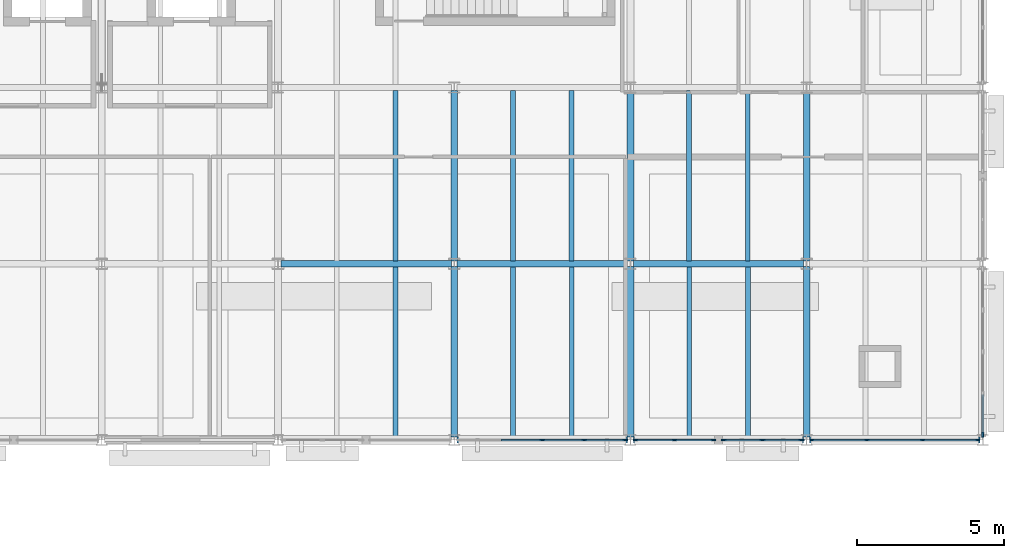
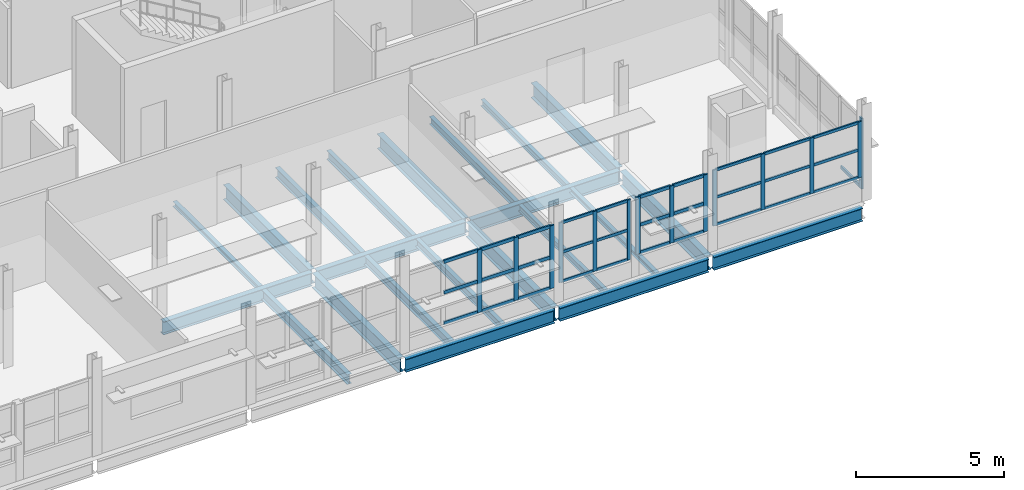
# One storey, part 40 of 92: 45 members, 22 beams, 5 elements without a shape of their own.
"""IFC4 building model written with IfcOpenShell, lengths in metres."""

from ifc_helpers import new_model, si_unit, direction, frame, origin, origin_2d, place, context, subcontext, project, spatial, rectangle, i_section, extrude, material, material_profile, profile_set, type_object, element, aggregate, save


model = new_model("IFC4")

# Units and contexts
model_context = context("Model", 3, precision=1e-05, world=origin(), true_north=direction((0.0, 1.0)))
body_context = subcontext(model_context, "Body", "Model", "MODEL_VIEW")
ifc_project = project(units=[si_unit("LENGTHUNIT", "METRE"), si_unit("AREAUNIT", "SQUARE_METRE"), si_unit("VOLUMEUNIT", "CUBIC_METRE"), si_unit("PLANEANGLEUNIT", "RADIAN"), si_unit("MASSUNIT", "GRAM", prefix="KILO")], contexts=[model_context])

# Site, building, storey
site_placement = place(None, origin())
site = spatial("IfcSite", under=ifc_project, at=site_placement, CompositionType="ELEMENT")
building_placement = place(site_placement, origin())
building = spatial("IfcBuilding", under=site, at=building_placement, Name="Siltcreek Boulevard Central Fire Station", CompositionType="ELEMENT")
storey_placement = place(building_placement, frame((0.0, 0.0, 6.0)))
storey = spatial("IfcBuildingStorey", under=building, at=storey_placement, Name="L02", CompositionType="ELEMENT", Elevation=6.0)

# Beams
ifc_material_1 = material(Name="Structural steel ASTM A992 Gr50", Category="steel")
ifc_material_profile_1 = material_profile(ifc_material_1, i_section(OverallWidth=0.2109375, OverallDepth=0.5390625, WebThickness=0.01171875, FlangeThickness=0.018798828125, at=origin_2d()), Name="W530X109")
ifc_profile_set_1 = profile_set([ifc_material_profile_1], Name="Structural steel ASTM A992 Gr50")
beam_type_1 = type_object("IfcBeamType", Name="BM_W530X109", PredefinedType="BEAM", material=ifc_profile_set_1)
for number, where, z_axis, x_axis, name in (
    (1, (148.300048828125, 88.199951171875, -0.589599609375), (1.0, 0.0, 0.0), (0.0, 1.0, 0.0), "L02 primary steel girder GX-0173"),
    (2, (154.300048828125, 88.199951171875, -0.589599609375), (1.0, 0.0, 0.0), (0.0, 1.0, 0.0), "L02 primary steel girder GX-0174"),
    (3, (160.300048828125, 88.199951171875, -0.589599609375), (1.0, 0.0, 0.0), (0.0, 1.0, 0.0), "L02 primary steel girder GX-0175"),
    (4, (142.300048828125, 94.199951171875, -0.589599609375), (1.0, 0.0, 0.0), (0.0, 1.0, 0.0), "L02 primary steel girder GX-0179"),
    (5, (148.300048828125, 94.199951171875, -0.589599609375), (1.0, 0.0, 0.0), (0.0, 1.0, 0.0), "L02 primary steel girder GX-0180"),
    (6, (154.300048828125, 94.199951171875, -0.589599609375), (1.0, 0.0, 0.0), (0.0, 1.0, 0.0), "L02 primary steel girder GX-0181"),
):
    element("IfcBeam", number, at=place(storey_placement, frame(where, z_axis=z_axis, x_axis=x_axis)), inside=storey, type_object=beam_type_1, Name=name, PredefinedType="BEAM", context=body_context, shape_type="SweptSolid", body=[
        extrude(i_section(OverallWidth=0.2109375, OverallDepth=0.5390625, WebThickness=0.01171875, FlangeThickness=0.018798828125, at=origin_2d()), origin(), (0.0, 0.0, 1.0), 5.800048828125),
    ])
ifc_material_profile_2 = material_profile(ifc_material_1, i_section(OverallWidth=0.22802734375, OverallDepth=0.60791015625, WebThickness=0.01123046875, FlangeThickness=0.017333984375, at=origin_2d()), Name="W610X113")
ifc_profile_set_2 = profile_set([ifc_material_profile_2], Name="Structural steel ASTM A992 Gr50")
beam_type_2 = type_object("IfcBeamType", Name="BM_W610X113", PredefinedType="BEAM", material=ifc_profile_set_2)
for number, where, z_axis, x_axis, name in (
    (7, (148.199951171875, 88.300048828125, -0.6240234375), (0.0, 1.0, 0.0), (-1.0, 0.0, 0.0), "L02 primary steel girder GY-0219"),
    (8, (148.199951171875, 94.300048828125, -0.6240234375), (0.0, 1.0, 0.0), (-1.0, 0.0, 0.0), "L02 primary steel girder GY-0220"),
    (9, (154.199951171875, 88.300048828125, -0.6240234375), (0.0, 1.0, 0.0), (-1.0, 0.0, 0.0), "L02 primary steel girder GY-0222"),
    (10, (154.199951171875, 94.300048828125, -0.6240234375), (0.0, 1.0, 0.0), (-1.0, 0.0, 0.0), "L02 primary steel girder GY-0223"),
    (11, (160.199951171875, 88.300048828125, -0.6240234375), (0.0, 1.0, 0.0), (-1.0, 0.0, 0.0), "L02 primary steel girder GY-0226"),
    (12, (160.199951171875, 94.300048828125, -0.6240234375), (0.0, 1.0, 0.0), (-1.0, 0.0, 0.0), "L02 primary steel girder GY-0227"),
):
    element("IfcBeam", number, at=place(storey_placement, frame(where, z_axis=z_axis, x_axis=x_axis)), inside=storey, type_object=beam_type_2, Name=name, PredefinedType="BEAM", context=body_context, shape_type="SweptSolid", body=[
        extrude(i_section(OverallWidth=0.22802734375, OverallDepth=0.60791015625, WebThickness=0.01123046875, FlangeThickness=0.017333984375, at=origin_2d()), origin(), (0.0, 0.0, 1.0), 5.800048828125),
    ])

# Curtain wall, members
ifc_material_2 = material(Name="Anodized aluminum and low-E insulated glazing", Category="aluminium")
curtain_wall_type_1 = type_object("IfcCurtainWallType", Name="CW_SYS_10", PredefinedType="USERDEFINED", material=ifc_material_2)
curtain_wall_1_placement = place(storey_placement, origin())
curtain_wall_1 = element("IfcCurtainWall", 13, at=curtain_wall_1_placement, inside=storey, type_object=curtain_wall_type_1, Name="L02 V5 unitised curtain wall CW-129", ObjectType="CURTAIN WALL", PredefinedType="USERDEFINED")
ifc_material_3 = material(Name="Anodized 6063-T6 aluminum framing", Category="aluminium")
ifc_material_profile_3 = material_profile(ifc_material_3, rectangle(XDim=0.06005859375, YDim=0.14990234375, at=origin_2d()), Name="MULL60X150")
ifc_profile_set_3 = profile_set([ifc_material_profile_3], Name="Anodized 6063-T6 aluminum framing")
member_type_1 = type_object("IfcMemberType", Name="CWM_60X150", PredefinedType="MULLION", material=ifc_profile_set_3)
member_1_placement = place(storey_placement, frame((154.375, 88.199951171875, 0.679931640625), z_axis=(0.0, 0.0, 1.0), x_axis=(0.0, 1.0, 0.0)))
member_1 = element("IfcMember", 14, at=member_1_placement, type_object=member_type_1, Name="CW-129 mullion 1", PredefinedType="MULLION", context=body_context, shape_type="SweptSolid", body=[
    extrude(rectangle(XDim=0.06005859375, YDim=0.14990234375, at=origin_2d()), origin(), (0.0, 0.0, 1.0), 2.47314453125),
])
member_2_placement = place(storey_placement, frame((155.702392578125, 88.199951171875, 0.679931640625), z_axis=(0.0, 0.0, 1.0), x_axis=(0.0, 1.0, 0.0)))
member_2 = element("IfcMember", 15, at=member_2_placement, type_object=member_type_1, Name="CW-129 mullion 2", PredefinedType="MULLION", context=body_context, shape_type="SweptSolid", body=[
    extrude(rectangle(XDim=0.06005859375, YDim=0.14990234375, at=origin_2d()), origin(), (0.0, 0.0, 1.0), 2.47314453125),
])
member_3_placement = place(storey_placement, frame((157.030029296875, 88.199951171875, 0.679931640625), z_axis=(0.0, 0.0, 1.0), x_axis=(0.0, 1.0, 0.0)))
member_3 = element("IfcMember", 16, at=member_3_placement, type_object=member_type_1, Name="CW-129 mullion 3", PredefinedType="MULLION", context=body_context, shape_type="SweptSolid", body=[
    extrude(rectangle(XDim=0.06005859375, YDim=0.14990234375, at=origin_2d()), origin(), (0.0, 0.0, 1.0), 2.47314453125),
])

curtain_wall_type_2 = type_object("IfcCurtainWallType", Name="CW_SYS_12", PredefinedType="USERDEFINED", material=ifc_material_2)
curtain_wall_2_placement = place(storey_placement, origin())
curtain_wall_2 = element("IfcCurtainWall", 17, at=curtain_wall_2_placement, inside=storey, type_object=curtain_wall_type_2, Name="L02 V5 unitised curtain wall CW-131", ObjectType="CURTAIN WALL", PredefinedType="USERDEFINED")
member_4_placement = place(storey_placement, frame((160.375, 88.199951171875, 0.919921875), z_axis=(0.0, 0.0, 1.0), x_axis=(0.0, 1.0, 0.0)))
member_4 = element("IfcMember", 18, at=member_4_placement, type_object=member_type_1, Name="CW-131 mullion 1", PredefinedType="MULLION", context=body_context, shape_type="SweptSolid", body=[
    extrude(rectangle(XDim=0.06005859375, YDim=0.14990234375, at=origin_2d()), origin(), (0.0, 0.0, 1.0), 2.302978515625),
])
member_5_placement = place(storey_placement, frame((162.248291015625, 88.199951171875, 0.919921875), z_axis=(0.0, 0.0, 1.0), x_axis=(0.0, 1.0, 0.0)))
member_5 = element("IfcMember", 19, at=member_5_placement, type_object=member_type_1, Name="CW-131 mullion 2", PredefinedType="MULLION", context=body_context, shape_type="SweptSolid", body=[
    extrude(rectangle(XDim=0.06005859375, YDim=0.14990234375, at=origin_2d()), origin(), (0.0, 0.0, 1.0), 2.302978515625),
])
member_6_placement = place(storey_placement, frame((164.151611328125, 88.199951171875, 0.919921875), z_axis=(0.0, 0.0, 1.0), x_axis=(0.0, 1.0, 0.0)))
member_6 = element("IfcMember", 20, at=member_6_placement, type_object=member_type_1, Name="CW-131 mullion 3", PredefinedType="MULLION", context=body_context, shape_type="SweptSolid", body=[
    extrude(rectangle(XDim=0.06005859375, YDim=0.14990234375, at=origin_2d()), origin(), (0.0, 0.0, 1.0), 2.302978515625),
])
member_7_placement = place(storey_placement, frame((166.02490234375, 88.199951171875, 0.919921875), z_axis=(0.0, 0.0, 1.0), x_axis=(0.0, 1.0, 0.0)))
member_7 = element("IfcMember", 21, at=member_7_placement, type_object=member_type_1, Name="CW-131 mullion 4", PredefinedType="MULLION", context=body_context, shape_type="SweptSolid", body=[
    extrude(rectangle(XDim=0.06005859375, YDim=0.14990234375, at=origin_2d()), origin(), (0.0, 0.0, 1.0), 2.302978515625),
])

curtain_wall_type_3 = type_object("IfcCurtainWallType", Name="CW_SYS_09", PredefinedType="USERDEFINED", material=ifc_material_2)
curtain_wall_3_placement = place(storey_placement, origin())
curtain_wall_3 = element("IfcCurtainWall", 22, at=curtain_wall_3_placement, inside=storey, type_object=curtain_wall_type_3, Name="L02 V5 unitised curtain wall CW-128", ObjectType="CURTAIN WALL", PredefinedType="USERDEFINED")
ifc_material_profile_4 = material_profile(ifc_material_3, rectangle(XDim=0.06494140625, YDim=0.175048828125, at=origin_2d()), Name="MULL65X175")
ifc_profile_set_4 = profile_set([ifc_material_profile_4], Name="Anodized 6063-T6 aluminum framing")
member_type_2 = type_object("IfcMemberType", Name="CWM_65X175", PredefinedType="MULLION", material=ifc_profile_set_4)
member_8_placement = place(storey_placement, frame((151.199951171875, 88.199951171875, 0.56005859375), z_axis=(0.0, 0.0, 1.0), x_axis=(0.0, 1.0, 0.0)))
member_8 = element("IfcMember", 23, at=member_8_placement, type_object=member_type_2, Name="CW-128 mullion 3", PredefinedType="MULLION", context=body_context, shape_type="SweptSolid", body=[
    extrude(rectangle(XDim=0.06494140625, YDim=0.175048828125, at=origin_2d()), origin(), (0.0, 0.0, 1.0), 2.593017578125),
])
member_9_placement = place(storey_placement, frame((152.62744140625, 88.199951171875, 0.56005859375), z_axis=(0.0, 0.0, 1.0), x_axis=(0.0, 1.0, 0.0)))
member_9 = element("IfcMember", 24, at=member_9_placement, type_object=member_type_2, Name="CW-128 mullion 4", PredefinedType="MULLION", context=body_context, shape_type="SweptSolid", body=[
    extrude(rectangle(XDim=0.06494140625, YDim=0.175048828125, at=origin_2d()), origin(), (0.0, 0.0, 1.0), 2.593017578125),
])
member_10_placement = place(storey_placement, frame((154.0224609375, 88.199951171875, 0.56005859375), z_axis=(0.0, 0.0, 1.0), x_axis=(0.0, 1.0, 0.0)))
member_10 = element("IfcMember", 25, at=member_10_placement, type_object=member_type_2, Name="CW-128 mullion 5", PredefinedType="MULLION", context=body_context, shape_type="SweptSolid", body=[
    extrude(rectangle(XDim=0.06494140625, YDim=0.175048828125, at=origin_2d()), origin(), (0.0, 0.0, 1.0), 2.593017578125),
])

curtain_wall_type_4 = type_object("IfcCurtainWallType", Name="CW_SYS_11", PredefinedType="USERDEFINED", material=ifc_material_2)
curtain_wall_4_placement = place(storey_placement, origin())
curtain_wall_4 = element("IfcCurtainWall", 26, at=curtain_wall_4_placement, inside=storey, type_object=curtain_wall_type_4, Name="L02 V5 unitised curtain wall CW-130", ObjectType="CURTAIN WALL", PredefinedType="USERDEFINED")
member_11_placement = place(storey_placement, frame((157.37255859375, 88.199951171875, 0.800048828125), z_axis=(0.0, 0.0, 1.0), x_axis=(0.0, 1.0, 0.0)))
member_11 = element("IfcMember", 27, at=member_11_placement, type_object=member_type_2, Name="CW-130 mullion 1", PredefinedType="MULLION", context=body_context, shape_type="SweptSolid", body=[
    extrude(rectangle(XDim=0.06494140625, YDim=0.175048828125, at=origin_2d()), origin(), (0.0, 0.0, 1.0), 2.35302734375),
])
member_12_placement = place(storey_placement, frame((158.697509765625, 88.199951171875, 0.800048828125), z_axis=(0.0, 0.0, 1.0), x_axis=(0.0, 1.0, 0.0)))
member_12 = element("IfcMember", 28, at=member_12_placement, type_object=member_type_2, Name="CW-130 mullion 2", PredefinedType="MULLION", context=body_context, shape_type="SweptSolid", body=[
    extrude(rectangle(XDim=0.06494140625, YDim=0.175048828125, at=origin_2d()), origin(), (0.0, 0.0, 1.0), 2.35302734375),
])
member_13_placement = place(storey_placement, frame((160.0224609375, 88.199951171875, 0.800048828125), z_axis=(0.0, 0.0, 1.0), x_axis=(0.0, 1.0, 0.0)))
member_13 = element("IfcMember", 29, at=member_13_placement, type_object=member_type_2, Name="CW-130 mullion 3", PredefinedType="MULLION", context=body_context, shape_type="SweptSolid", body=[
    extrude(rectangle(XDim=0.06494140625, YDim=0.175048828125, at=origin_2d()), origin(), (0.0, 0.0, 1.0), 2.35302734375),
])

# Curtain wall, member
curtain_wall_type_5 = type_object("IfcCurtainWallType", Name="CW_SYS_25", PredefinedType="USERDEFINED", material=ifc_material_2)
curtain_wall_5_placement = place(storey_placement, origin())
curtain_wall_5 = element("IfcCurtainWall", 30, at=curtain_wall_5_placement, inside=storey, type_object=curtain_wall_type_5, Name="L02 V5 unitised curtain wall CW-144", ObjectType="CURTAIN WALL", PredefinedType="USERDEFINED")
member_14_placement = place(storey_placement, frame((166.199951171875, 88.37744140625, 0.320068359375), z_axis=(0.0, 0.0, 1.0), x_axis=(-1.0, 0.0, 0.0)))
member_14 = element("IfcMember", 31, at=member_14_placement, type_object=member_type_2, Name="CW-144 mullion 1", PredefinedType="MULLION", context=body_context, shape_type="SweptSolid", body=[
    extrude(rectangle(XDim=0.06494140625, YDim=0.175048828125, at=origin_2d()), origin(), (0.0, 0.0, 1.0), 2.906982421875),
])

# Member
ifc_material_profile_5 = material_profile(ifc_material_3, rectangle(XDim=0.06005859375, YDim=0.114990234375, at=origin_2d()), Name="TRAN60X115")
ifc_profile_set_5 = profile_set([ifc_material_profile_5], Name="Anodized 6063-T6 aluminum framing")
member_type_3 = type_object("IfcMemberType", Name="CWT_60X115", PredefinedType="USERDEFINED", material=ifc_profile_set_5)
member_15_placement = place(storey_placement, frame((154.405029296875, 88.199951171875, 0.7099609375), z_axis=(1.0, 0.0, 0.0), x_axis=(0.0, 1.0, 0.0)))
member_15 = element("IfcMember", 32, at=member_15_placement, type_object=member_type_3, Name="CW-129 transom 1.1", ObjectType="TRANSOM", PredefinedType="USERDEFINED", context=body_context, shape_type="SweptSolid", body=[
    extrude(rectangle(XDim=0.06005859375, YDim=0.114990234375, at=origin_2d()), origin(), (0.0, 0.0, 1.0), 1.267578125),
])

member_16_placement = place(storey_placement, frame((154.405029296875, 88.199951171875, 1.91650390625), z_axis=(1.0, 0.0, 0.0), x_axis=(0.0, 1.0, 0.0)))
member_16 = element("IfcMember", 33, at=member_16_placement, type_object=member_type_3, Name="CW-129 transom 1.2", ObjectType="TRANSOM", PredefinedType="USERDEFINED", context=body_context, shape_type="SweptSolid", body=[
    extrude(rectangle(XDim=0.06005859375, YDim=0.114990234375, at=origin_2d()), origin(), (0.0, 0.0, 1.0), 1.267578125),
])

member_17_placement = place(storey_placement, frame((154.405029296875, 88.199951171875, 3.123046875), z_axis=(1.0, 0.0, 0.0), x_axis=(0.0, 1.0, 0.0)))
member_17 = element("IfcMember", 34, at=member_17_placement, type_object=member_type_3, Name="CW-129 transom 1.3", ObjectType="TRANSOM", PredefinedType="USERDEFINED", context=body_context, shape_type="SweptSolid", body=[
    extrude(rectangle(XDim=0.06005859375, YDim=0.114990234375, at=origin_2d()), origin(), (0.0, 0.0, 1.0), 1.267578125),
])

member_18_placement = place(storey_placement, frame((155.732421875, 88.199951171875, 0.7099609375), z_axis=(1.0, 0.0, 0.0), x_axis=(0.0, 1.0, 0.0)))
member_18 = element("IfcMember", 35, at=member_18_placement, type_object=member_type_3, Name="CW-129 transom 2.1", ObjectType="TRANSOM", PredefinedType="USERDEFINED", context=body_context, shape_type="SweptSolid", body=[
    extrude(rectangle(XDim=0.06005859375, YDim=0.114990234375, at=origin_2d()), origin(), (0.0, 0.0, 1.0), 1.267578125),
])

member_19_placement = place(storey_placement, frame((155.732421875, 88.199951171875, 1.91650390625), z_axis=(1.0, 0.0, 0.0), x_axis=(0.0, 1.0, 0.0)))
member_19 = element("IfcMember", 36, at=member_19_placement, type_object=member_type_3, Name="CW-129 transom 2.2", ObjectType="TRANSOM", PredefinedType="USERDEFINED", context=body_context, shape_type="SweptSolid", body=[
    extrude(rectangle(XDim=0.06005859375, YDim=0.114990234375, at=origin_2d()), origin(), (0.0, 0.0, 1.0), 1.267578125),
])

member_20_placement = place(storey_placement, frame((155.732421875, 88.199951171875, 3.123046875), z_axis=(1.0, 0.0, 0.0), x_axis=(0.0, 1.0, 0.0)))
member_20 = element("IfcMember", 37, at=member_20_placement, type_object=member_type_3, Name="CW-129 transom 2.3", ObjectType="TRANSOM", PredefinedType="USERDEFINED", context=body_context, shape_type="SweptSolid", body=[
    extrude(rectangle(XDim=0.06005859375, YDim=0.114990234375, at=origin_2d()), origin(), (0.0, 0.0, 1.0), 1.267578125),
])

aggregate(curtain_wall_1, [member_1, member_2, member_3, member_15, member_16, member_17, member_18, member_19, member_20])

member_21_placement = place(storey_placement, frame((160.405029296875, 88.199951171875, 0.949951171875), z_axis=(1.0, 0.0, 0.0), x_axis=(0.0, 1.0, 0.0)))
member_21 = element("IfcMember", 38, at=member_21_placement, type_object=member_type_3, Name="CW-131 transom 1.1", ObjectType="TRANSOM", PredefinedType="USERDEFINED", context=body_context, shape_type="SweptSolid", body=[
    extrude(rectangle(XDim=0.06005859375, YDim=0.114990234375, at=origin_2d()), origin(), (0.0, 0.0, 1.0), 1.813232421875),
])

member_22_placement = place(storey_placement, frame((160.405029296875, 88.199951171875, 2.071533203125), z_axis=(1.0, 0.0, 0.0), x_axis=(0.0, 1.0, 0.0)))
member_22 = element("IfcMember", 39, at=member_22_placement, type_object=member_type_3, Name="CW-131 transom 1.2", ObjectType="TRANSOM", PredefinedType="USERDEFINED", context=body_context, shape_type="SweptSolid", body=[
    extrude(rectangle(XDim=0.06005859375, YDim=0.114990234375, at=origin_2d()), origin(), (0.0, 0.0, 1.0), 1.813232421875),
])

member_23_placement = place(storey_placement, frame((160.405029296875, 88.199951171875, 3.193115234375), z_axis=(1.0, 0.0, 0.0), x_axis=(0.0, 1.0, 0.0)))
member_23 = element("IfcMember", 40, at=member_23_placement, type_object=member_type_3, Name="CW-131 transom 1.3", ObjectType="TRANSOM", PredefinedType="USERDEFINED", context=body_context, shape_type="SweptSolid", body=[
    extrude(rectangle(XDim=0.06005859375, YDim=0.114990234375, at=origin_2d()), origin(), (0.0, 0.0, 1.0), 1.813232421875),
])

member_24_placement = place(storey_placement, frame((162.2783203125, 88.199951171875, 0.949951171875), z_axis=(1.0, 0.0, 0.0), x_axis=(0.0, 1.0, 0.0)))
member_24 = element("IfcMember", 41, at=member_24_placement, type_object=member_type_3, Name="CW-131 transom 2.1", ObjectType="TRANSOM", PredefinedType="USERDEFINED", context=body_context, shape_type="SweptSolid", body=[
    extrude(rectangle(XDim=0.06005859375, YDim=0.114990234375, at=origin_2d()), origin(), (0.0, 0.0, 1.0), 1.84326171875),
])

member_25_placement = place(storey_placement, frame((162.2783203125, 88.199951171875, 2.071533203125), z_axis=(1.0, 0.0, 0.0), x_axis=(0.0, 1.0, 0.0)))
member_25 = element("IfcMember", 42, at=member_25_placement, type_object=member_type_3, Name="CW-131 transom 2.2", ObjectType="TRANSOM", PredefinedType="USERDEFINED", context=body_context, shape_type="SweptSolid", body=[
    extrude(rectangle(XDim=0.06005859375, YDim=0.114990234375, at=origin_2d()), origin(), (0.0, 0.0, 1.0), 1.84326171875),
])

member_26_placement = place(storey_placement, frame((162.2783203125, 88.199951171875, 3.193115234375), z_axis=(1.0, 0.0, 0.0), x_axis=(0.0, 1.0, 0.0)))
member_26 = element("IfcMember", 43, at=member_26_placement, type_object=member_type_3, Name="CW-131 transom 2.3", ObjectType="TRANSOM", PredefinedType="USERDEFINED", context=body_context, shape_type="SweptSolid", body=[
    extrude(rectangle(XDim=0.06005859375, YDim=0.114990234375, at=origin_2d()), origin(), (0.0, 0.0, 1.0), 1.84326171875),
])

member_27_placement = place(storey_placement, frame((164.181640625, 88.199951171875, 0.949951171875), z_axis=(1.0, 0.0, 0.0), x_axis=(0.0, 1.0, 0.0)))
member_27 = element("IfcMember", 44, at=member_27_placement, type_object=member_type_3, Name="CW-131 transom 3.1", ObjectType="TRANSOM", PredefinedType="USERDEFINED", context=body_context, shape_type="SweptSolid", body=[
    extrude(rectangle(XDim=0.06005859375, YDim=0.114990234375, at=origin_2d()), origin(), (0.0, 0.0, 1.0), 1.8134765625),
])

member_28_placement = place(storey_placement, frame((164.181640625, 88.199951171875, 2.071533203125), z_axis=(1.0, 0.0, 0.0), x_axis=(0.0, 1.0, 0.0)))
member_28 = element("IfcMember", 45, at=member_28_placement, type_object=member_type_3, Name="CW-131 transom 3.2", ObjectType="TRANSOM", PredefinedType="USERDEFINED", context=body_context, shape_type="SweptSolid", body=[
    extrude(rectangle(XDim=0.06005859375, YDim=0.114990234375, at=origin_2d()), origin(), (0.0, 0.0, 1.0), 1.8134765625),
])

member_29_placement = place(storey_placement, frame((164.181640625, 88.199951171875, 3.193115234375), z_axis=(1.0, 0.0, 0.0), x_axis=(0.0, 1.0, 0.0)))
member_29 = element("IfcMember", 46, at=member_29_placement, type_object=member_type_3, Name="CW-131 transom 3.3", ObjectType="TRANSOM", PredefinedType="USERDEFINED", context=body_context, shape_type="SweptSolid", body=[
    extrude(rectangle(XDim=0.06005859375, YDim=0.114990234375, at=origin_2d()), origin(), (0.0, 0.0, 1.0), 1.8134765625),
])

aggregate(curtain_wall_2, [member_4, member_5, member_6, member_7, member_21, member_22, member_23, member_24, member_25, member_26, member_27, member_28, member_29])

ifc_material_profile_6 = material_profile(ifc_material_3, rectangle(XDim=0.06494140625, YDim=0.135009765625, at=origin_2d()), Name="TRAN65X135")
ifc_profile_set_6 = profile_set([ifc_material_profile_6], Name="Anodized 6063-T6 aluminum framing")
member_type_4 = type_object("IfcMemberType", Name="CWT_65X135", PredefinedType="USERDEFINED", material=ifc_profile_set_6)
member_30_placement = place(storey_placement, frame((149.804931640625, 88.199951171875, 0.592529296875), z_axis=(1.0, 0.0, 0.0), x_axis=(0.0, 1.0, 0.0)))
member_30 = element("IfcMember", 47, at=member_30_placement, type_object=member_type_4, Name="CW-128 transom 2.1", ObjectType="TRANSOM", PredefinedType="USERDEFINED", context=body_context, shape_type="SweptSolid", body=[
    extrude(rectangle(XDim=0.06494140625, YDim=0.135009765625, at=origin_2d()), origin(), (0.0, 0.0, 1.0), 1.362548828125),
])

member_31_placement = place(storey_placement, frame((149.804931640625, 88.199951171875, 1.8564453125), z_axis=(1.0, 0.0, 0.0), x_axis=(0.0, 1.0, 0.0)))
member_31 = element("IfcMember", 48, at=member_31_placement, type_object=member_type_4, Name="CW-128 transom 2.2", ObjectType="TRANSOM", PredefinedType="USERDEFINED", context=body_context, shape_type="SweptSolid", body=[
    extrude(rectangle(XDim=0.06494140625, YDim=0.135009765625, at=origin_2d()), origin(), (0.0, 0.0, 1.0), 1.362548828125),
])

member_32_placement = place(storey_placement, frame((149.804931640625, 88.199951171875, 3.12060546875), z_axis=(1.0, 0.0, 0.0), x_axis=(0.0, 1.0, 0.0)))
member_32 = element("IfcMember", 49, at=member_32_placement, type_object=member_type_4, Name="CW-128 transom 2.3", ObjectType="TRANSOM", PredefinedType="USERDEFINED", context=body_context, shape_type="SweptSolid", body=[
    extrude(rectangle(XDim=0.06494140625, YDim=0.135009765625, at=origin_2d()), origin(), (0.0, 0.0, 1.0), 1.362548828125),
])

member_33_placement = place(storey_placement, frame((151.232421875, 88.199951171875, 0.592529296875), z_axis=(1.0, 0.0, 0.0), x_axis=(0.0, 1.0, 0.0)))
member_33 = element("IfcMember", 50, at=member_33_placement, type_object=member_type_4, Name="CW-128 transom 3.1", ObjectType="TRANSOM", PredefinedType="USERDEFINED", context=body_context, shape_type="SweptSolid", body=[
    extrude(rectangle(XDim=0.06494140625, YDim=0.135009765625, at=origin_2d()), origin(), (0.0, 0.0, 1.0), 1.362548828125),
])

member_34_placement = place(storey_placement, frame((151.232421875, 88.199951171875, 1.8564453125), z_axis=(1.0, 0.0, 0.0), x_axis=(0.0, 1.0, 0.0)))
member_34 = element("IfcMember", 51, at=member_34_placement, type_object=member_type_4, Name="CW-128 transom 3.2", ObjectType="TRANSOM", PredefinedType="USERDEFINED", context=body_context, shape_type="SweptSolid", body=[
    extrude(rectangle(XDim=0.06494140625, YDim=0.135009765625, at=origin_2d()), origin(), (0.0, 0.0, 1.0), 1.362548828125),
])

member_35_placement = place(storey_placement, frame((151.232421875, 88.199951171875, 3.12060546875), z_axis=(1.0, 0.0, 0.0), x_axis=(0.0, 1.0, 0.0)))
member_35 = element("IfcMember", 52, at=member_35_placement, type_object=member_type_4, Name="CW-128 transom 3.3", ObjectType="TRANSOM", PredefinedType="USERDEFINED", context=body_context, shape_type="SweptSolid", body=[
    extrude(rectangle(XDim=0.06494140625, YDim=0.135009765625, at=origin_2d()), origin(), (0.0, 0.0, 1.0), 1.362548828125),
])

member_36_placement = place(storey_placement, frame((152.659912109375, 88.199951171875, 0.592529296875), z_axis=(1.0, 0.0, 0.0), x_axis=(0.0, 1.0, 0.0)))
member_36 = element("IfcMember", 53, at=member_36_placement, type_object=member_type_4, Name="CW-128 transom 4.1", ObjectType="TRANSOM", PredefinedType="USERDEFINED", context=body_context, shape_type="SweptSolid", body=[
    extrude(rectangle(XDim=0.06494140625, YDim=0.135009765625, at=origin_2d()), origin(), (0.0, 0.0, 1.0), 1.330078125),
])

member_37_placement = place(storey_placement, frame((152.659912109375, 88.199951171875, 1.8564453125), z_axis=(1.0, 0.0, 0.0), x_axis=(0.0, 1.0, 0.0)))
member_37 = element("IfcMember", 54, at=member_37_placement, type_object=member_type_4, Name="CW-128 transom 4.2", ObjectType="TRANSOM", PredefinedType="USERDEFINED", context=body_context, shape_type="SweptSolid", body=[
    extrude(rectangle(XDim=0.06494140625, YDim=0.135009765625, at=origin_2d()), origin(), (0.0, 0.0, 1.0), 1.330078125),
])

member_38_placement = place(storey_placement, frame((152.659912109375, 88.199951171875, 3.12060546875), z_axis=(1.0, 0.0, 0.0), x_axis=(0.0, 1.0, 0.0)))
member_38 = element("IfcMember", 55, at=member_38_placement, type_object=member_type_4, Name="CW-128 transom 4.3", ObjectType="TRANSOM", PredefinedType="USERDEFINED", context=body_context, shape_type="SweptSolid", body=[
    extrude(rectangle(XDim=0.06494140625, YDim=0.135009765625, at=origin_2d()), origin(), (0.0, 0.0, 1.0), 1.330078125),
])

aggregate(curtain_wall_3, [member_8, member_9, member_10, member_30, member_31, member_32, member_33, member_34, member_35, member_36, member_37, member_38])

member_39_placement = place(storey_placement, frame((157.405029296875, 88.199951171875, 0.83251953125), z_axis=(1.0, 0.0, 0.0), x_axis=(0.0, 1.0, 0.0)))
member_39 = element("IfcMember", 56, at=member_39_placement, type_object=member_type_4, Name="CW-130 transom 1.1", ObjectType="TRANSOM", PredefinedType="USERDEFINED", context=body_context, shape_type="SweptSolid", body=[
    extrude(rectangle(XDim=0.06494140625, YDim=0.135009765625, at=origin_2d()), origin(), (0.0, 0.0, 1.0), 1.260009765625),
])

member_40_placement = place(storey_placement, frame((157.405029296875, 88.199951171875, 1.9765625), z_axis=(1.0, 0.0, 0.0), x_axis=(0.0, 1.0, 0.0)))
member_40 = element("IfcMember", 57, at=member_40_placement, type_object=member_type_4, Name="CW-130 transom 1.2", ObjectType="TRANSOM", PredefinedType="USERDEFINED", context=body_context, shape_type="SweptSolid", body=[
    extrude(rectangle(XDim=0.06494140625, YDim=0.135009765625, at=origin_2d()), origin(), (0.0, 0.0, 1.0), 1.260009765625),
])

member_41_placement = place(storey_placement, frame((157.405029296875, 88.199951171875, 3.12060546875), z_axis=(1.0, 0.0, 0.0), x_axis=(0.0, 1.0, 0.0)))
member_41 = element("IfcMember", 58, at=member_41_placement, type_object=member_type_4, Name="CW-130 transom 1.3", ObjectType="TRANSOM", PredefinedType="USERDEFINED", context=body_context, shape_type="SweptSolid", body=[
    extrude(rectangle(XDim=0.06494140625, YDim=0.135009765625, at=origin_2d()), origin(), (0.0, 0.0, 1.0), 1.260009765625),
])

member_42_placement = place(storey_placement, frame((158.72998046875, 88.199951171875, 0.83251953125), z_axis=(1.0, 0.0, 0.0), x_axis=(0.0, 1.0, 0.0)))
member_42 = element("IfcMember", 59, at=member_42_placement, type_object=member_type_4, Name="CW-130 transom 2.1", ObjectType="TRANSOM", PredefinedType="USERDEFINED", context=body_context, shape_type="SweptSolid", body=[
    extrude(rectangle(XDim=0.06494140625, YDim=0.135009765625, at=origin_2d()), origin(), (0.0, 0.0, 1.0), 1.260009765625),
])

member_43_placement = place(storey_placement, frame((158.72998046875, 88.199951171875, 1.9765625), z_axis=(1.0, 0.0, 0.0), x_axis=(0.0, 1.0, 0.0)))
member_43 = element("IfcMember", 60, at=member_43_placement, type_object=member_type_4, Name="CW-130 transom 2.2", ObjectType="TRANSOM", PredefinedType="USERDEFINED", context=body_context, shape_type="SweptSolid", body=[
    extrude(rectangle(XDim=0.06494140625, YDim=0.135009765625, at=origin_2d()), origin(), (0.0, 0.0, 1.0), 1.260009765625),
])

member_44_placement = place(storey_placement, frame((158.72998046875, 88.199951171875, 3.12060546875), z_axis=(1.0, 0.0, 0.0), x_axis=(0.0, 1.0, 0.0)))
member_44 = element("IfcMember", 61, at=member_44_placement, type_object=member_type_4, Name="CW-130 transom 2.3", ObjectType="TRANSOM", PredefinedType="USERDEFINED", context=body_context, shape_type="SweptSolid", body=[
    extrude(rectangle(XDim=0.06494140625, YDim=0.135009765625, at=origin_2d()), origin(), (0.0, 0.0, 1.0), 1.260009765625),
])

aggregate(curtain_wall_4, [member_11, member_12, member_13, member_39, member_40, member_41, member_42, member_43, member_44])

member_45_placement = place(storey_placement, frame((166.199951171875, 88.409912109375, 0.3525390625), z_axis=(0.0, 1.0, 0.0), x_axis=(-1.0, 0.0, 0.0)))
member_45 = element("IfcMember", 62, at=member_45_placement, type_object=member_type_4, Name="CW-144 transom 1.1", ObjectType="TRANSOM", PredefinedType="USERDEFINED", context=body_context, shape_type="SweptSolid", body=[
    extrude(rectangle(XDim=0.06494140625, YDim=0.135009765625, at=origin_2d()), origin(), (0.0, 0.0, 1.0), 1.330078125),
])

aggregate(curtain_wall_5, [member_14, member_45])

# Beams
ifc_material_profile_7 = material_profile(ifc_material_1, i_section(OverallWidth=0.1650390625, OverallDepth=0.200927734375, WebThickness=0.006103515625, FlangeThickness=0.01025390625, at=origin_2d()), Name="W200X36")
ifc_profile_set_7 = profile_set([ifc_material_profile_7], Name="Structural steel ASTM A992 Gr50")
beam_type_3 = type_object("IfcBeamType", Name="JST_W200X36", PredefinedType="JOIST", material=ifc_profile_set_7)
for number, where, z_axis, x_axis, name in (
    (63, (158.199951171875, 88.303466796875, -0.42041015625), (0.0, 1.0, 0.0), (-1.0, 0.0, 0.0), "L02 secondary steel floor joist 0152"),
    (64, (146.199951171875, 94.303466796875, -0.42041015625), (0.0, 1.0, 0.0), (-1.0, 0.0, 0.0), "L02 secondary steel floor joist 0162"),
):
    element("IfcBeam", number, at=place(storey_placement, frame(where, z_axis=z_axis, x_axis=x_axis)), inside=storey, type_object=beam_type_3, Name=name, PredefinedType="JOIST", context=body_context, shape_type="SweptSolid", body=[
        extrude(i_section(OverallWidth=0.1650390625, OverallDepth=0.200927734375, WebThickness=0.006103515625, FlangeThickness=0.01025390625, at=origin_2d()), origin(), (0.0, 0.0, 1.0), 5.79296875),
    ])
ifc_material_profile_8 = material_profile(ifc_material_1, i_section(OverallWidth=0.14697265625, OverallDepth=0.261962890625, WebThickness=0.006591796875, FlangeThickness=0.01123046875, at=origin_2d()), Name="W250X39")
ifc_profile_set_8 = profile_set([ifc_material_profile_8], Name="Structural steel ASTM A992 Gr50")
beam_type_4 = type_object("IfcBeamType", Name="JST_W250X39", PredefinedType="JOIST", material=ifc_profile_set_8)
for number, where, z_axis, x_axis, name in (
    (65, (156.199951171875, 88.303466796875, -0.450927734375), (0.0, 1.0, 0.0), (-1.0, 0.0, 0.0), "L02 secondary steel floor joist 0151"),
    (66, (158.199951171875, 94.303466796875, -0.450927734375), (0.0, 1.0, 0.0), (-1.0, 0.0, 0.0), "L02 secondary steel floor joist 0166"),
):
    element("IfcBeam", number, at=place(storey_placement, frame(where, z_axis=z_axis, x_axis=x_axis)), inside=storey, type_object=beam_type_4, Name=name, PredefinedType="JOIST", context=body_context, shape_type="SweptSolid", body=[
        extrude(i_section(OverallWidth=0.14697265625, OverallDepth=0.261962890625, WebThickness=0.006591796875, FlangeThickness=0.01123046875, at=origin_2d()), origin(), (0.0, 0.0, 1.0), 5.79296875),
    ])
ifc_material_profile_9 = material_profile(ifc_material_1, i_section(OverallWidth=0.166015625, OverallDepth=0.31298828125, WebThickness=0.006591796875, FlangeThickness=0.01123046875, at=origin_2d()), Name="W310X45")
ifc_profile_set_9 = profile_set([ifc_material_profile_9], Name="Structural steel ASTM A992 Gr50")
beam_type_5 = type_object("IfcBeamType", Name="JST_W310X45", PredefinedType="JOIST", material=ifc_profile_set_9)
for number, where, z_axis, x_axis, name in (
    (67, (152.199951171875, 88.303466796875, -0.4765625), (0.0, 1.0, 0.0), (-1.0, 0.0, 0.0), "L02 secondary steel floor joist 0150"),
    (68, (156.199951171875, 94.303466796875, -0.4765625), (0.0, 1.0, 0.0), (-1.0, 0.0, 0.0), "L02 secondary steel floor joist 0165"),
):
    element("IfcBeam", number, at=place(storey_placement, frame(where, z_axis=z_axis, x_axis=x_axis)), inside=storey, type_object=beam_type_5, Name=name, PredefinedType="JOIST", context=body_context, shape_type="SweptSolid", body=[
        extrude(i_section(OverallWidth=0.166015625, OverallDepth=0.31298828125, WebThickness=0.006591796875, FlangeThickness=0.01123046875, at=origin_2d()), origin(), (0.0, 0.0, 1.0), 5.79296875),
    ])
ifc_material_profile_10 = material_profile(ifc_material_1, i_section(OverallWidth=0.172119140625, OverallDepth=0.35791015625, WebThickness=0.0078125, FlangeThickness=0.01318359375, at=origin_2d()), Name="W360X57")
ifc_profile_set_10 = profile_set([ifc_material_profile_10], Name="Structural steel ASTM A992 Gr50")
beam_type_6 = type_object("IfcBeamType", Name="JST_W360X57", PredefinedType="JOIST", material=ifc_profile_set_10)
for number, where, z_axis, x_axis, name in (
    (69, (150.199951171875, 88.303466796875, -0.4990234375), (0.0, 1.0, 0.0), (-1.0, 0.0, 0.0), "L02 secondary steel floor joist 0149"),
    (70, (152.199951171875, 94.303466796875, -0.4990234375), (0.0, 1.0, 0.0), (-1.0, 0.0, 0.0), "L02 secondary steel floor joist 0164"),
):
    element("IfcBeam", number, at=place(storey_placement, frame(where, z_axis=z_axis, x_axis=x_axis)), inside=storey, type_object=beam_type_6, Name=name, PredefinedType="JOIST", context=body_context, shape_type="SweptSolid", body=[
        extrude(i_section(OverallWidth=0.172119140625, OverallDepth=0.35791015625, WebThickness=0.0078125, FlangeThickness=0.01318359375, at=origin_2d()), origin(), (0.0, 0.0, 1.0), 5.79296875),
    ])
ifc_material_profile_11 = material_profile(ifc_material_1, i_section(OverallWidth=0.177001953125, OverallDepth=0.403076171875, WebThickness=0.007568359375, FlangeThickness=0.010986328125, at=origin_2d()), Name="W410X53")
ifc_profile_set_11 = profile_set([ifc_material_profile_11], Name="Structural steel ASTM A992 Gr50")
beam_type_7 = type_object("IfcBeamType", Name="JST_W410X53", PredefinedType="JOIST", material=ifc_profile_set_11)
for number, where, z_axis, x_axis, name in (
    (71, (146.199951171875, 88.303466796875, -0.521484375), (0.0, 1.0, 0.0), (-1.0, 0.0, 0.0), "L02 secondary steel floor joist 0148"),
    (72, (150.199951171875, 94.303466796875, -0.521484375), (0.0, 1.0, 0.0), (-1.0, 0.0, 0.0), "L02 secondary steel floor joist 0163"),
):
    element("IfcBeam", number, at=place(storey_placement, frame(where, z_axis=z_axis, x_axis=x_axis)), inside=storey, type_object=beam_type_7, Name=name, PredefinedType="JOIST", context=body_context, shape_type="SweptSolid", body=[
        extrude(i_section(OverallWidth=0.177001953125, OverallDepth=0.403076171875, WebThickness=0.007568359375, FlangeThickness=0.010986328125, at=origin_2d()), origin(), (0.0, 0.0, 1.0), 5.79296875),
    ])

save(model, "model.ifc")
